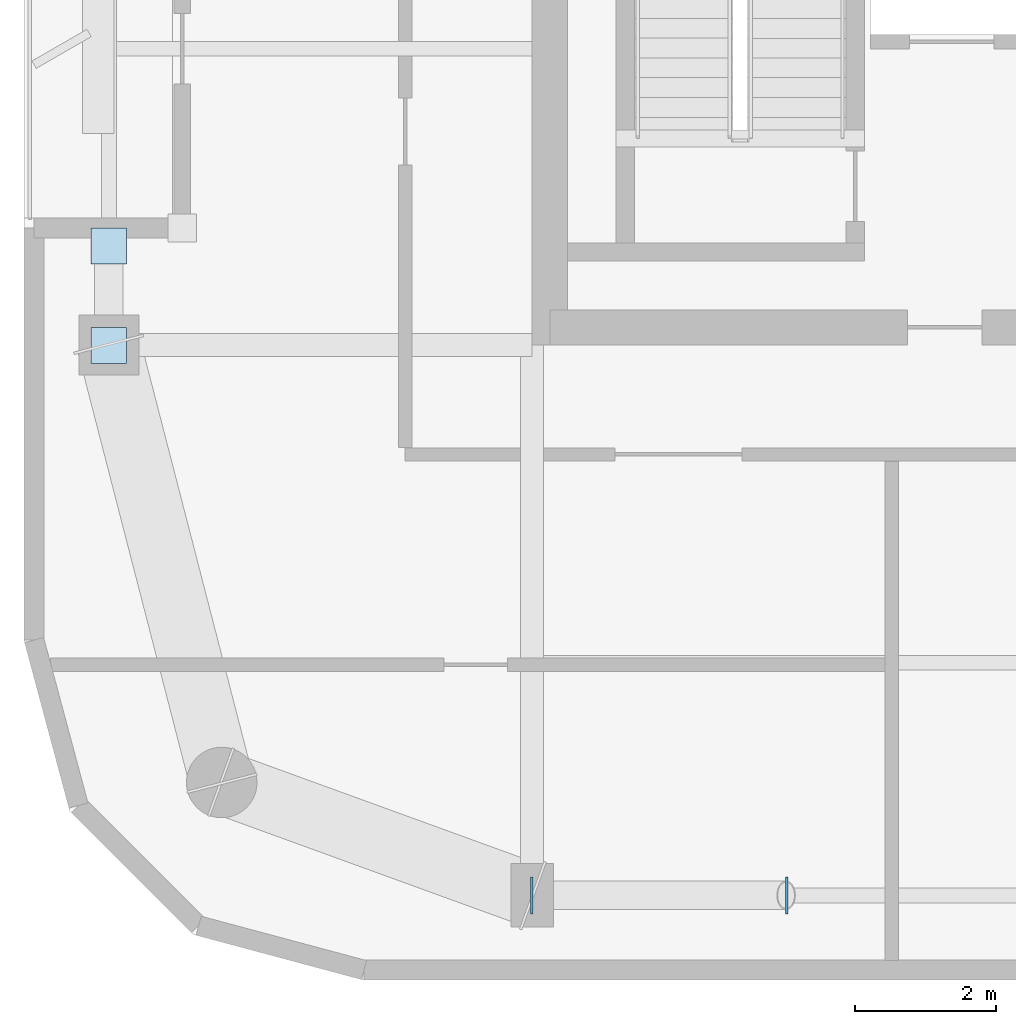
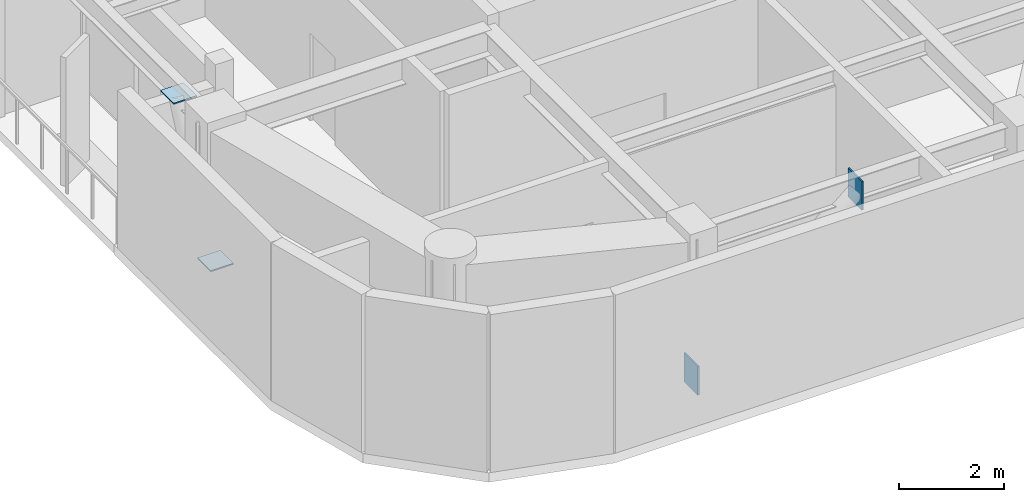
# One storey, part 8 of 16: 4 plates.
"""IFC4 building model written with IfcOpenShell, lengths in metres."""

from ifc_helpers import new_model, si_unit, direction, frame, origin, origin_2d, place, context, subcontext, project, spatial, rectangle, extrude, material, layer, layer_set, type_object, element, save


model = new_model("IFC4")

# Units and contexts
model_context = context("Model", 3, precision=1e-05, world=origin(), true_north=direction((0.0, 1.0)))
body_context = subcontext(model_context, "Body", "Model", "MODEL_VIEW")
ifc_project = project(units=[si_unit("LENGTHUNIT", "METRE"), si_unit("AREAUNIT", "SQUARE_METRE"), si_unit("VOLUMEUNIT", "CUBIC_METRE"), si_unit("PLANEANGLEUNIT", "RADIAN"), si_unit("MASSUNIT", "GRAM", prefix="KILO")], contexts=[model_context])

# Site, building, storey
site_placement = place(None, origin())
site = spatial("IfcSite", under=ifc_project, at=site_placement, CompositionType="ELEMENT")
building_placement = place(site_placement, origin())
building = spatial("IfcBuilding", under=site, at=building_placement, Name="Kiyonajd Concourse Tower", CompositionType="ELEMENT")
storey_placement = place(building_placement, frame((0.0, 0.0, 325.800048828125)))
storey = spatial("IfcBuildingStorey", under=building, at=storey_placement, Name="L82", CompositionType="ELEMENT", Elevation=325.800048828125)

# Plates
ifc_material = material(Name="Steel ASTM A572 Grade 50", Category="steel")
ifc_layer = layer(ifc_material, 0.028076171875)
ifc_layer_set = layer_set([ifc_layer], Name="Steel ASTM A572 Grade 50")
plate_type = type_object("IfcPlateType", Name="PL-CAP-450", PredefinedType="USERDEFINED", material=ifc_layer_set)
for number, where, z_axis, x_axis, name in (
    (1, (32.3916015625, 19.800048828125, -0.04248046875), (0.0, 0.0, 1.0), (-1.0, 0.0, 0.0), "L82 Hollow Brace End Cap Plate PBS"),
    (2, (36.00830078125, 19.800048828125, 3.001708984375), (0.0, 0.0, 1.0), (1.0, 0.0, 0.0), "L82 Hollow Brace Top Cap Plate PBS"),
):
    element("IfcPlate", number, at=place(storey_placement, frame(where, z_axis=z_axis, x_axis=x_axis)), inside=storey, type_object=plate_type, Name=name, ObjectType="CAP PLATE", PredefinedType="USERDEFINED", context=body_context, shape_type="SweptSolid", body=[
        extrude(rectangle(XDim=0.035888671875, YDim=0.52587890625, at=origin_2d()), origin(), (0.0, 0.0, 1.0), 0.6708984375),
    ])
for number, where, z_axis, x_axis, name in (
    (3, (26.39990234375, 27.595458984375, 0.27587890625), (0.0, 0.0, 1.0), (1.0, 0.0, 0.0), "L82 Hollow Brace End Cap Plate PBW"),
    (4, (26.39990234375, 29.004638671875, 3.32568359375), (0.0, 0.0, 1.0), (1.0, 0.0, 0.0), "L82 Hollow Brace Top Cap Plate PBW"),
):
    element("IfcPlate", number, at=place(storey_placement, frame(where, z_axis=z_axis, x_axis=x_axis)), inside=storey, type_object=plate_type, Name=name, ObjectType="CAP PLATE", PredefinedType="USERDEFINED", context=body_context, shape_type="SweptSolid", body=[
        extrude(rectangle(XDim=0.506103515625, YDim=0.506103515625, at=origin_2d()), origin(), (0.0, 0.0, 1.0), 0.028076171875),
    ])

save(model, "model.ifc")
